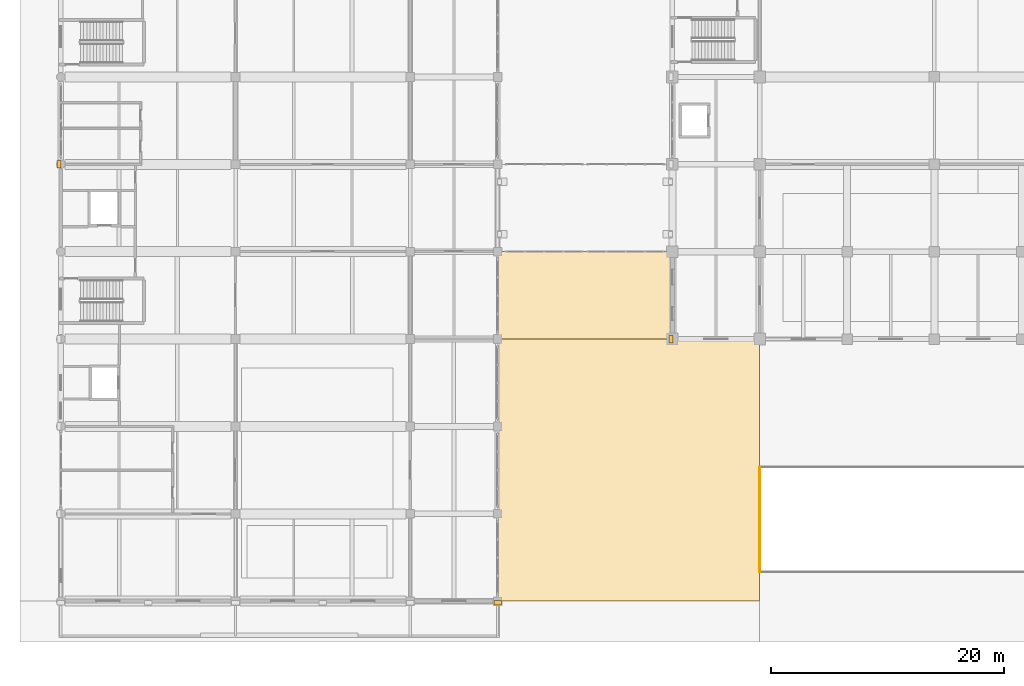
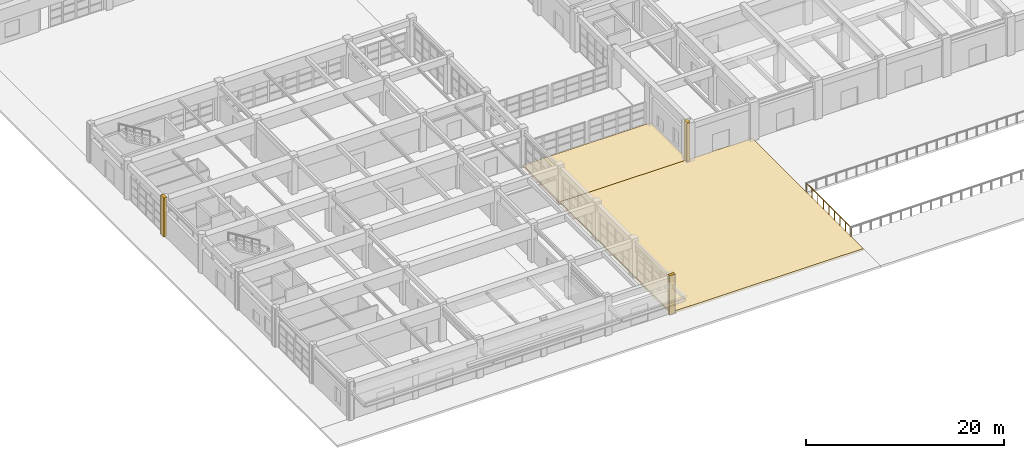
# One storey, part 106 of 122: 5 coverings, 1 railing.
"""IFC4 building model written with IfcOpenShell, lengths in metres."""

from ifc_helpers import new_model, si_unit, direction, frame, origin, origin_2d, place, context, subcontext, project, spatial, polyline, rectangle, circle, outline, extrude, material, layer, layer_set, type_object, element, save


model = new_model("IFC4")

# Units and contexts
model_context = context("Model", 3, precision=1e-05, world=origin(), true_north=direction((0.0, 1.0)))
body_context = subcontext(model_context, "Body", "Model", "MODEL_VIEW")
ifc_project = project(units=[si_unit("LENGTHUNIT", "METRE"), si_unit("AREAUNIT", "SQUARE_METRE"), si_unit("VOLUMEUNIT", "CUBIC_METRE"), si_unit("PLANEANGLEUNIT", "RADIAN"), si_unit("MASSUNIT", "GRAM", prefix="KILO")], contexts=[model_context])

# Site, building, storey
site_placement = place(None, origin())
site = spatial("IfcSite", under=ifc_project, at=site_placement, CompositionType="ELEMENT")
building_placement = place(site_placement, origin())
building = spatial("IfcBuilding", under=site, at=building_placement, Name="Qasida Concert Hall", CompositionType="ELEMENT")
storey_placement = place(building_placement, origin())
storey = spatial("IfcBuildingStorey", under=building, at=storey_placement, Name="L00", CompositionType="ELEMENT", Elevation=0.0)

# Coverings
ifc_material_1 = material(Name="Bush-hammered Lebanese limestone plaza paving", Category="masonry")
ifc_layer_1 = layer(ifc_material_1, 0.25, Name="Bush-hammered Lebanese limestone plaza paving")
ifc_layer_set_1 = layer_set([ifc_layer_1], Name="Bush-hammered Lebanese limestone plaza paving")
covering_type_1 = type_object("IfcCoveringType", Name="CV-PAV-250", PredefinedType="FLOORING", material=ifc_layer_set_1)
covering_1_placement = place(storey_placement, frame((0.0, 0.0, -0.25)))
element("IfcCovering", 1, at=covering_1_placement, inside=storey, type_object=covering_type_1, Name="L00 Forecourt west terrace plaza", PredefinedType="FLOORING", context=body_context, shape_type="SweptSolid", body=[
    extrude(outline(polyline([(37.5, 0.0), (60.0, 0.0), (60.0, 22.5), (37.5, 22.5), (37.5, 0.0)])), origin(), (0.0, 0.0, 1.0), 0.25),
])
covering_2_placement = place(storey_placement, frame((0.0, 0.0, -0.25)))
element("IfcCovering", 2, at=covering_2_placement, inside=storey, type_object=covering_type_1, Name="L00 West acoustic court south plaza", PredefinedType="FLOORING", context=body_context, shape_type="SweptSolid", body=[
    extrude(outline(polyline([(37.5, 22.5), (52.5, 22.5), (52.5, 30.0), (37.5, 30.0), (37.5, 22.5)])), origin(), (0.0, 0.0, 1.0), 0.25),
])
ifc_material_2 = material(Name="Projecting fluted Lebanese limestone Art Deco pilaster", Category="masonry")
ifc_layer_2 = layer(ifc_material_2, 0.35009765625, Name="Projecting fluted Lebanese limestone Art Deco pilaster")
ifc_layer_set_2 = layer_set([ifc_layer_2], Name="Projecting fluted Lebanese limestone Art Deco pilaster")
covering_type_2 = type_object("IfcCoveringType", Name="CV-PIL-650", PredefinedType="CLADDING", material=ifc_layer_set_2)
covering_3_placement = place(storey_placement, frame((52.364990234375, 22.5, 0.0), z_axis=(0.0, 0.0, 1.0), x_axis=(1.0, 0.0, 0.0)))
element("IfcCovering", 3, at=covering_3_placement, inside=storey, type_object=covering_type_2, Name="L00 fluted limestone pilaster 0001", PredefinedType="CLADDING", context=body_context, shape_type="SweptSolid", body=[
    extrude(rectangle(XDim=0.35009765625, YDim=0.64990234375, at=origin_2d()), origin(), (0.0, 0.0, 1.0), 4.800048828125),
])
covering_4_placement = place(storey_placement, frame((37.5, -0.135009765625, 0.0), z_axis=(0.0, 0.0, 1.0), x_axis=(1.0, 0.0, 0.0)))
element("IfcCovering", 4, at=covering_4_placement, inside=storey, type_object=covering_type_2, Name="L00 fluted limestone pilaster 0161", PredefinedType="CLADDING", context=body_context, shape_type="SweptSolid", body=[
    extrude(rectangle(XDim=0.64990234375, YDim=0.35009765625, at=origin_2d()), origin(), (0.0, 0.0, 1.0), 4.800048828125),
])
covering_5_placement = place(storey_placement, frame((-0.135009765625, 37.5, 0.0), z_axis=(0.0, 0.0, 1.0), x_axis=(1.0, 0.0, 0.0)))
element("IfcCovering", 5, at=covering_5_placement, inside=storey, type_object=covering_type_2, Name="L00 fluted limestone pilaster 0179", PredefinedType="CLADDING", context=body_context, shape_type="SweptSolid", body=[
    extrude(rectangle(XDim=0.35009765625, YDim=0.64990234375, at=origin_2d()), origin(), (0.0, 0.0, 1.0), 4.800048828125),
])

# Railing
ifc_material_3 = material(Name="Carved Lebanese limestone and bronze top rail", Category="masonry")
ifc_layer_3 = layer(ifc_material_3, 0.10009765625, Name="Carved Lebanese limestone and bronze top rail")
ifc_layer_set_3 = layer_set([ifc_layer_3], Name="Carved Lebanese limestone and bronze top rail")
railing_type = type_object("IfcRailingType", Name="RL-BAL-1100", PredefinedType="BALUSTRADE", material=ifc_layer_set_3)
railing_placement = place(storey_placement, frame((60.0, 11.5, 0.0)))
element("IfcRailing", 6, at=railing_placement, inside=storey, type_object=railing_type, Name="L00 Sunken metro forecourt balustrade 0134", PredefinedType="BALUSTRADE", context=body_context, shape_type="SweptSolid", body=[
    extrude(circle(Radius=0.02392578125, at=origin_2d()), frame((0.0, 0.0, 1.09619140625), z_axis=(0.0, -1.0, 0.0), x_axis=(1.0, 0.0, 0.0)), (0.0, 0.0, 1.0), 9.0),
    extrude(circle(Radius=0.02099609375, at=origin_2d()), origin(), (0.0, 0.0, 1.0), 1.072021484375),
    extrude(circle(Radius=0.02099609375, at=origin_2d()), frame((0.0, -1.125, 0.0)), (0.0, 0.0, 1.0), 1.072021484375),
    extrude(circle(Radius=0.02099609375, at=origin_2d()), frame((0.0, -2.25, 0.0)), (0.0, 0.0, 1.0), 1.072021484375),
    extrude(circle(Radius=0.02099609375, at=origin_2d()), frame((0.0, -3.375, 0.0)), (0.0, 0.0, 1.0), 1.072021484375),
    extrude(circle(Radius=0.02099609375, at=origin_2d()), frame((0.0, -4.5, 0.0)), (0.0, 0.0, 1.0), 1.072021484375),
    extrude(circle(Radius=0.02099609375, at=origin_2d()), frame((0.0, -5.625, 0.0)), (0.0, 0.0, 1.0), 1.072021484375),
    extrude(circle(Radius=0.02099609375, at=origin_2d()), frame((0.0, -6.75, 0.0)), (0.0, 0.0, 1.0), 1.072021484375),
    extrude(circle(Radius=0.02099609375, at=origin_2d()), frame((0.0, -7.875, 0.0)), (0.0, 0.0, 1.0), 1.072021484375),
    extrude(circle(Radius=0.02099609375, at=origin_2d()), frame((0.0, -9.0, 0.0)), (0.0, 0.0, 1.0), 1.072021484375),
])

save(model, "model.ifc")
